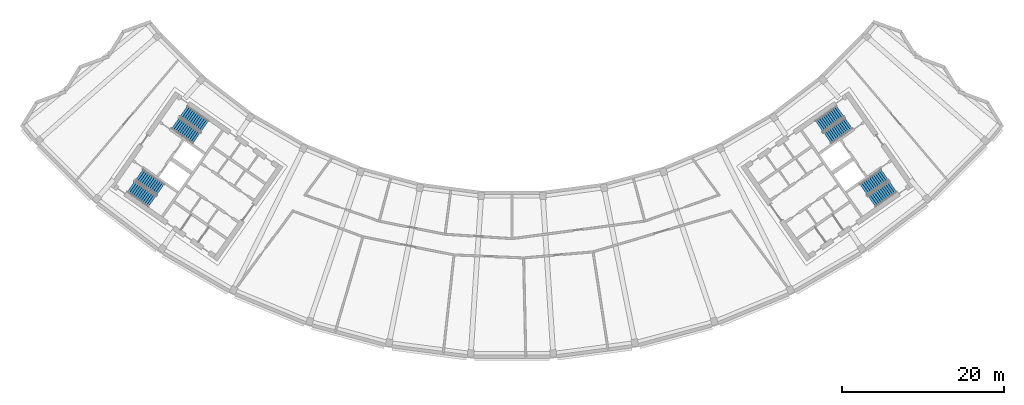
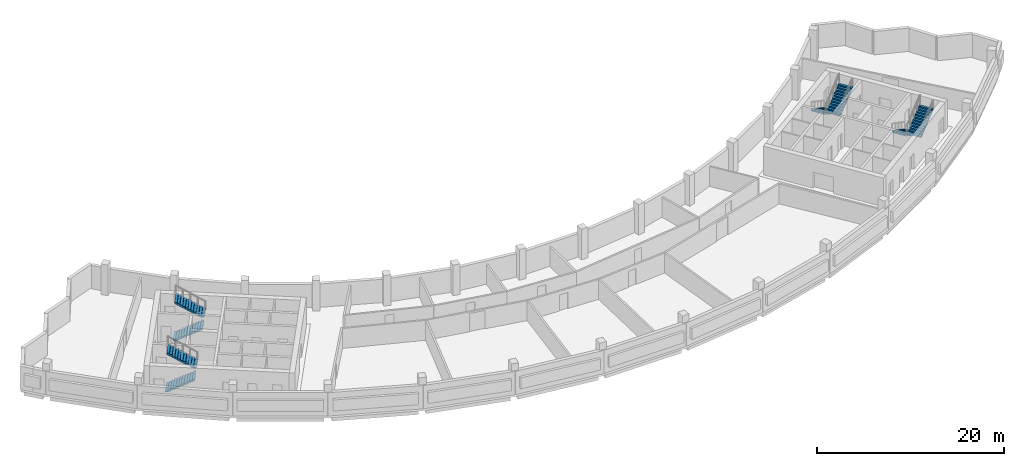
# One storey, part 7 of 11: 8 stair flights, 4 elements without a shape of their own.
"""IFC4 building model written with IfcOpenShell, lengths in metres."""

from ifc_helpers import new_model, si_unit, direction, frame, origin, place, context, subcontext, project, spatial, polyline, outline, extrude, material, type_object, element, aggregate, save


model = new_model("IFC4")

# Units and contexts
model_context = context("Model", 3, precision=1e-05, world=origin(), true_north=direction((0.0, 1.0)))
body_context = subcontext(model_context, "Body", "Model", "MODEL_VIEW")
ifc_project = project(units=[si_unit("LENGTHUNIT", "METRE"), si_unit("AREAUNIT", "SQUARE_METRE"), si_unit("VOLUMEUNIT", "CUBIC_METRE"), si_unit("PLANEANGLEUNIT", "RADIAN"), si_unit("MASSUNIT", "GRAM", prefix="KILO")], contexts=[model_context])

# Site, building, storey
site_placement = place(None, origin())
site = spatial("IfcSite", under=ifc_project, at=site_placement, CompositionType="ELEMENT")
building_placement = place(site_placement, origin())
building = spatial("IfcBuilding", under=site, at=building_placement, Name="Qamariyya Broadcast Tower", CompositionType="ELEMENT")
storey_placement = place(building_placement, frame((0.0, 0.0, 294.699951171875)))
storey = spatial("IfcBuildingStorey", under=building, at=storey_placement, Name="L71", CompositionType="ELEMENT", Elevation=294.699951171875)

# Stair, stair flights
ifc_material = material(Name="Concrete C50/60", Category="concrete")
stair_type = type_object("IfcStairType", Name="Exit stair 24 risers of 167 mm", PredefinedType="HALF_TURN_STAIR", material=ifc_material)
stair_1_placement = place(storey_placement, origin())
stair_1 = element("IfcStair", 1, at=stair_1_placement, inside=storey, type_object=stair_type, Name="L71 Stair W2", PredefinedType="HALF_TURN_STAIR")
stair_flight_type = type_object("IfcStairFlightType", Name="Exit stair flight 12 risers of 167 mm", PredefinedType="STRAIGHT", material=ifc_material)
stair_flight_1_placement = place(storey_placement, frame((-41.59130859375, -49.15966796875, 0.0), z_axis=(0.0, 0.0, 1.0), x_axis=(0.819152044289, -0.573576436351, 0.0)))
stair_flight_1 = element("IfcStairFlight", 2, at=stair_flight_1_placement, type_object=stair_flight_type, Name="ST-W2 flight 1", NumberOfRisers=12, NumberOfTreads=11, PredefinedType="STRAIGHT", RiserHeight=0.166666667, TreadLength=0.29, context=body_context, shape_type="SweptSolid", body=[
    extrude(outline(polyline([(0.0, 0.0), (0.0, 0.166748046875), (0.2900390625, 0.166748046875), (0.2900390625, 0.333251953125), (0.580078125, 0.333251953125), (0.580078125, 0.5), (0.8701171875, 0.5), (0.8701171875, 0.666748046875), (1.159912109375, 0.666748046875), (1.159912109375, 0.833251953125), (1.449951171875, 0.833251953125), (1.449951171875, 1.0), (1.739990234375, 1.0), (1.739990234375, 1.166748046875), (2.030029296875, 1.166748046875), (2.030029296875, 1.333251953125), (2.320068359375, 1.333251953125), (2.320068359375, 1.5), (2.610107421875, 1.5), (2.610107421875, 1.666748046875), (2.89990234375, 1.666748046875), (2.89990234375, 1.833251953125), (3.18994140625, 1.833251953125), (3.18994140625, 2.0), (3.18994140625, 1.660400390625), (0.30078125, 0.0), (0.0, 0.0)])), frame((0.0, 0.824951171875, 0.0), z_axis=(0.0, -1.0, 0.0), x_axis=(1.0, 0.0, 0.0)), (0.0, 0.0, 1.0), 1.64990234375),
])
stair_flight_2_placement = place(storey_placement, frame((-37.945556640625, -49.514892578125, 2.0), z_axis=(0.0, 0.0, 1.0), x_axis=(-0.819152044289, 0.573576436351, 0.0)))
stair_flight_2 = element("IfcStairFlight", 3, at=stair_flight_2_placement, type_object=stair_flight_type, Name="ST-W2 flight 2", NumberOfRisers=12, NumberOfTreads=11, PredefinedType="STRAIGHT", RiserHeight=0.166666667, TreadLength=0.29, context=body_context, shape_type="SweptSolid", body=[
    extrude(outline(polyline([(0.0, 0.0), (0.0, 0.166748046875), (0.2900390625, 0.166748046875), (0.2900390625, 0.333251953125), (0.580078125, 0.333251953125), (0.580078125, 0.5), (0.8701171875, 0.5), (0.8701171875, 0.666748046875), (1.159912109375, 0.666748046875), (1.159912109375, 0.833251953125), (1.449951171875, 0.833251953125), (1.449951171875, 1.0), (1.739990234375, 1.0), (1.739990234375, 1.166748046875), (2.030029296875, 1.166748046875), (2.030029296875, 1.333251953125), (2.320068359375, 1.333251953125), (2.320068359375, 1.5), (2.610107421875, 1.5), (2.610107421875, 1.666748046875), (2.89990234375, 1.666748046875), (2.89990234375, 1.833251953125), (3.18994140625, 1.833251953125), (3.18994140625, 2.0), (3.18994140625, 1.660400390625), (0.30078125, 0.0), (0.0, 0.0)])), frame((0.0, 0.824951171875, 0.0), z_axis=(0.0, -1.0, 0.0), x_axis=(1.0, 0.0, 0.0)), (0.0, 0.0, 1.0), 1.64990234375),
])
aggregate(stair_1, [stair_flight_1, stair_flight_2])

stair_2_placement = place(storey_placement, origin())
stair_2 = element("IfcStair", 4, at=stair_2_placement, inside=storey, type_object=stair_type, Name="L71 Stair W1", PredefinedType="HALF_TURN_STAIR")
stair_flight_3_placement = place(storey_placement, frame((-47.06884765625, -56.982666015625, 0.0), z_axis=(0.0, 0.0, 1.0), x_axis=(0.819152044289, -0.573576436351, 0.0)))
stair_flight_3 = element("IfcStairFlight", 5, at=stair_flight_3_placement, type_object=stair_flight_type, Name="ST-W1 flight 1", NumberOfRisers=12, NumberOfTreads=11, PredefinedType="STRAIGHT", RiserHeight=0.166666667, TreadLength=0.29, context=body_context, shape_type="SweptSolid", body=[
    extrude(outline(polyline([(0.0, 0.0), (0.0, 0.166748046875), (0.2900390625, 0.166748046875), (0.2900390625, 0.333251953125), (0.580078125, 0.333251953125), (0.580078125, 0.5), (0.8701171875, 0.5), (0.8701171875, 0.666748046875), (1.159912109375, 0.666748046875), (1.159912109375, 0.833251953125), (1.449951171875, 0.833251953125), (1.449951171875, 1.0), (1.739990234375, 1.0), (1.739990234375, 1.166748046875), (2.030029296875, 1.166748046875), (2.030029296875, 1.333251953125), (2.320068359375, 1.333251953125), (2.320068359375, 1.5), (2.610107421875, 1.5), (2.610107421875, 1.666748046875), (2.89990234375, 1.666748046875), (2.89990234375, 1.833251953125), (3.18994140625, 1.833251953125), (3.18994140625, 2.0), (3.18994140625, 1.660400390625), (0.30078125, 0.0), (0.0, 0.0)])), frame((0.0, 0.824951171875, 0.0), z_axis=(0.0, -1.0, 0.0), x_axis=(1.0, 0.0, 0.0)), (0.0, 0.0, 1.0), 1.64990234375),
])
stair_flight_4_placement = place(storey_placement, frame((-43.42333984375, -57.337890625, 2.0), z_axis=(0.0, 0.0, 1.0), x_axis=(-0.819152044289, 0.573576436351, 0.0)))
stair_flight_4 = element("IfcStairFlight", 6, at=stair_flight_4_placement, type_object=stair_flight_type, Name="ST-W1 flight 2", NumberOfRisers=12, NumberOfTreads=11, PredefinedType="STRAIGHT", RiserHeight=0.166666667, TreadLength=0.29, context=body_context, shape_type="SweptSolid", body=[
    extrude(outline(polyline([(0.0, 0.0), (0.0, 0.166748046875), (0.2900390625, 0.166748046875), (0.2900390625, 0.333251953125), (0.580078125, 0.333251953125), (0.580078125, 0.5), (0.8701171875, 0.5), (0.8701171875, 0.666748046875), (1.159912109375, 0.666748046875), (1.159912109375, 0.833251953125), (1.449951171875, 0.833251953125), (1.449951171875, 1.0), (1.739990234375, 1.0), (1.739990234375, 1.166748046875), (2.030029296875, 1.166748046875), (2.030029296875, 1.333251953125), (2.320068359375, 1.333251953125), (2.320068359375, 1.5), (2.610107421875, 1.5), (2.610107421875, 1.666748046875), (2.89990234375, 1.666748046875), (2.89990234375, 1.833251953125), (3.18994140625, 1.833251953125), (3.18994140625, 2.0), (3.18994140625, 1.660400390625), (0.30078125, 0.0), (0.0, 0.0)])), frame((0.0, 0.824951171875, 0.0), z_axis=(0.0, -1.0, 0.0), x_axis=(1.0, 0.0, 0.0)), (0.0, 0.0, 1.0), 1.64990234375),
])
aggregate(stair_2, [stair_flight_3, stair_flight_4])

stair_3_placement = place(storey_placement, origin())
stair_3 = element("IfcStair", 7, at=stair_3_placement, inside=storey, type_object=stair_type, Name="L71 Stair E2", PredefinedType="HALF_TURN_STAIR")
stair_flight_5_placement = place(storey_placement, frame((40.558837890625, -47.685302734375, 0.0), z_axis=(0.0, 0.0, 1.0), x_axis=(-0.819152044289, -0.573576436351, 0.0)))
stair_flight_5 = element("IfcStairFlight", 8, at=stair_flight_5_placement, type_object=stair_flight_type, Name="ST-E2 flight 1", NumberOfRisers=12, NumberOfTreads=11, PredefinedType="STRAIGHT", RiserHeight=0.166666667, TreadLength=0.29, context=body_context, shape_type="SweptSolid", body=[
    extrude(outline(polyline([(0.0, 0.0), (0.0, 0.166748046875), (0.2900390625, 0.166748046875), (0.2900390625, 0.333251953125), (0.580078125, 0.333251953125), (0.580078125, 0.5), (0.8701171875, 0.5), (0.8701171875, 0.666748046875), (1.159912109375, 0.666748046875), (1.159912109375, 0.833251953125), (1.449951171875, 0.833251953125), (1.449951171875, 1.0), (1.739990234375, 1.0), (1.739990234375, 1.166748046875), (2.030029296875, 1.166748046875), (2.030029296875, 1.333251953125), (2.320068359375, 1.333251953125), (2.320068359375, 1.5), (2.610107421875, 1.5), (2.610107421875, 1.666748046875), (2.89990234375, 1.666748046875), (2.89990234375, 1.833251953125), (3.18994140625, 1.833251953125), (3.18994140625, 2.0), (3.18994140625, 1.660400390625), (0.30078125, 0.0), (0.0, 0.0)])), frame((0.0, 0.824951171875, 0.0), z_axis=(0.0, -1.0, 0.0), x_axis=(1.0, 0.0, 0.0)), (0.0, 0.0, 1.0), 1.64990234375),
])
stair_flight_6_placement = place(storey_placement, frame((38.97802734375, -50.989501953125, 2.0), z_axis=(0.0, 0.0, 1.0), x_axis=(0.819152044289, 0.573576436351, 0.0)))
stair_flight_6 = element("IfcStairFlight", 9, at=stair_flight_6_placement, type_object=stair_flight_type, Name="ST-E2 flight 2", NumberOfRisers=12, NumberOfTreads=11, PredefinedType="STRAIGHT", RiserHeight=0.166666667, TreadLength=0.29, context=body_context, shape_type="SweptSolid", body=[
    extrude(outline(polyline([(0.0, 0.0), (0.0, 0.166748046875), (0.2900390625, 0.166748046875), (0.2900390625, 0.333251953125), (0.580078125, 0.333251953125), (0.580078125, 0.5), (0.8701171875, 0.5), (0.8701171875, 0.666748046875), (1.159912109375, 0.666748046875), (1.159912109375, 0.833251953125), (1.449951171875, 0.833251953125), (1.449951171875, 1.0), (1.739990234375, 1.0), (1.739990234375, 1.166748046875), (2.030029296875, 1.166748046875), (2.030029296875, 1.333251953125), (2.320068359375, 1.333251953125), (2.320068359375, 1.5), (2.610107421875, 1.5), (2.610107421875, 1.666748046875), (2.89990234375, 1.666748046875), (2.89990234375, 1.833251953125), (3.18994140625, 1.833251953125), (3.18994140625, 2.0), (3.18994140625, 1.660400390625), (0.30078125, 0.0), (0.0, 0.0)])), frame((0.0, 0.824951171875, 0.0), z_axis=(0.0, -1.0, 0.0), x_axis=(1.0, 0.0, 0.0)), (0.0, 0.0, 1.0), 1.64990234375),
])
aggregate(stair_3, [stair_flight_5, stair_flight_6])

stair_4_placement = place(storey_placement, origin())
stair_4 = element("IfcStair", 10, at=stair_4_placement, inside=storey, type_object=stair_type, Name="L71 Stair E1", PredefinedType="HALF_TURN_STAIR")
stair_flight_7_placement = place(storey_placement, frame((46.036376953125, -55.508056640625, 0.0), z_axis=(0.0, 0.0, 1.0), x_axis=(-0.819152044289, -0.573576436351, 0.0)))
stair_flight_7 = element("IfcStairFlight", 11, at=stair_flight_7_placement, type_object=stair_flight_type, Name="ST-E1 flight 1", NumberOfRisers=12, NumberOfTreads=11, PredefinedType="STRAIGHT", RiserHeight=0.166666667, TreadLength=0.29, context=body_context, shape_type="SweptSolid", body=[
    extrude(outline(polyline([(0.0, 0.0), (0.0, 0.166748046875), (0.2900390625, 0.166748046875), (0.2900390625, 0.333251953125), (0.580078125, 0.333251953125), (0.580078125, 0.5), (0.8701171875, 0.5), (0.8701171875, 0.666748046875), (1.159912109375, 0.666748046875), (1.159912109375, 0.833251953125), (1.449951171875, 0.833251953125), (1.449951171875, 1.0), (1.739990234375, 1.0), (1.739990234375, 1.166748046875), (2.030029296875, 1.166748046875), (2.030029296875, 1.333251953125), (2.320068359375, 1.333251953125), (2.320068359375, 1.5), (2.610107421875, 1.5), (2.610107421875, 1.666748046875), (2.89990234375, 1.666748046875), (2.89990234375, 1.833251953125), (3.18994140625, 1.833251953125), (3.18994140625, 2.0), (3.18994140625, 1.660400390625), (0.30078125, 0.0), (0.0, 0.0)])), frame((0.0, 0.824951171875, 0.0), z_axis=(0.0, -1.0, 0.0), x_axis=(1.0, 0.0, 0.0)), (0.0, 0.0, 1.0), 1.64990234375),
])
stair_flight_8_placement = place(storey_placement, frame((44.455810546875, -58.812255859375, 2.0), z_axis=(0.0, 0.0, 1.0), x_axis=(0.819152044289, 0.573576436351, 0.0)))
stair_flight_8 = element("IfcStairFlight", 12, at=stair_flight_8_placement, type_object=stair_flight_type, Name="ST-E1 flight 2", NumberOfRisers=12, NumberOfTreads=11, PredefinedType="STRAIGHT", RiserHeight=0.166666667, TreadLength=0.29, context=body_context, shape_type="SweptSolid", body=[
    extrude(outline(polyline([(0.0, 0.0), (0.0, 0.166748046875), (0.2900390625, 0.166748046875), (0.2900390625, 0.333251953125), (0.580078125, 0.333251953125), (0.580078125, 0.5), (0.8701171875, 0.5), (0.8701171875, 0.666748046875), (1.159912109375, 0.666748046875), (1.159912109375, 0.833251953125), (1.449951171875, 0.833251953125), (1.449951171875, 1.0), (1.739990234375, 1.0), (1.739990234375, 1.166748046875), (2.030029296875, 1.166748046875), (2.030029296875, 1.333251953125), (2.320068359375, 1.333251953125), (2.320068359375, 1.5), (2.610107421875, 1.5), (2.610107421875, 1.666748046875), (2.89990234375, 1.666748046875), (2.89990234375, 1.833251953125), (3.18994140625, 1.833251953125), (3.18994140625, 2.0), (3.18994140625, 1.660400390625), (0.30078125, 0.0), (0.0, 0.0)])), frame((0.0, 0.824951171875, 0.0), z_axis=(0.0, -1.0, 0.0), x_axis=(1.0, 0.0, 0.0)), (0.0, 0.0, 1.0), 1.64990234375),
])
aggregate(stair_4, [stair_flight_7, stair_flight_8])

save(model, "model.ifc")
